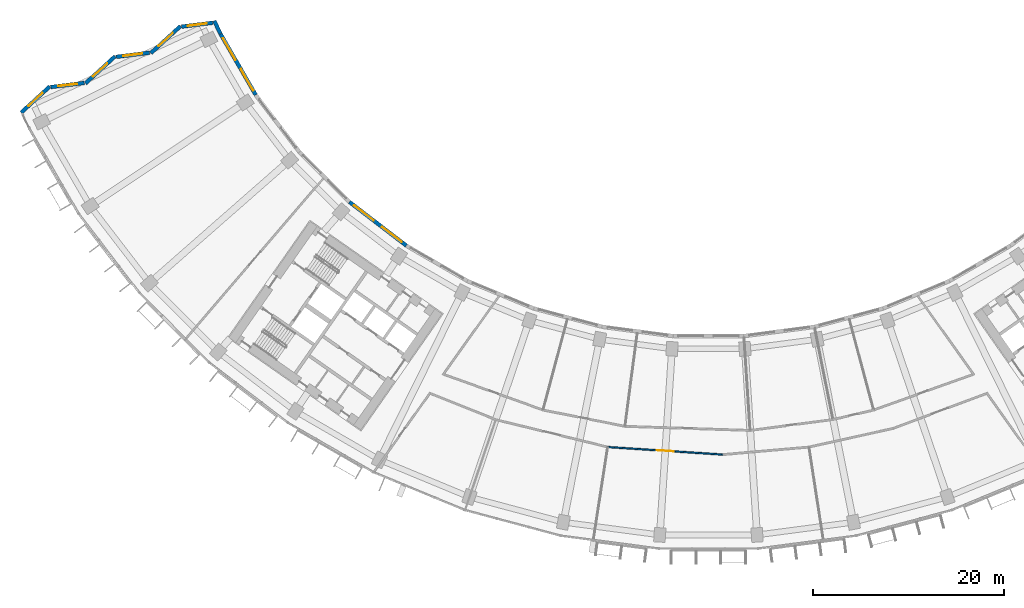
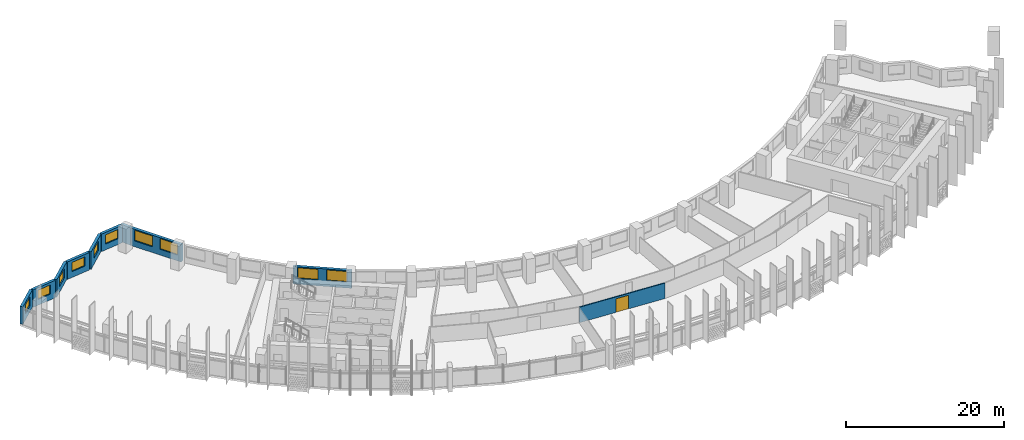
# One storey, part 5 of 30: 10 walls, 10 windows, 1 door, 11 openings.
"""IFC4 building model written with IfcOpenShell, lengths in metres."""

import ifcopenshell
import ifcopenshell.guid

model = None  # the IFC model being written
_history = None  # IfcOwnerHistory: only IFC2X3 demands one
_inside = {}  # id of a spatial element -> (the spatial element, [elements in it])
_under = {}  # id of a project, library or spatial element -> (it, [spatial elements below it])
_declared = {}  # id of a project -> (the project, [libraries it declares])
_typed = {}  # id of a type object -> (the type object, [elements of that type])
_made_of = {}  # id of a material, layer set ... -> (it, [elements and type objects made of it])


def new_model(schema):
    """Start an empty IFC model of exactly this schema.

    Asked for "IFC4X3", IfcOpenShell would pick the latest addendum, in which some entities
    have other attributes; the version numbers below select the first issue.
    IFC2X3 requires an IfcOwnerHistory on every rooted entity: one is made here for all.
    """
    global model, _history
    if schema == "IFC4X3":
        model = ifcopenshell.file(schema_version=(4, 3, 0, 0))
    else:
        model = ifcopenshell.file(schema=schema)
    _inside.clear()
    _under.clear()
    _declared.clear()
    _typed.clear()
    _made_of.clear()
    _history = None
    if model.schema == "IFC2X3":
        org = make("IfcOrganization", Name="unknown")
        user = make(
            "IfcPersonAndOrganization",
            ThePerson=make("IfcPerson", FamilyName="unknown"),
            TheOrganization=org,
        )
        app = make(
            "IfcApplication",
            ApplicationDeveloper=org,
            Version="unknown",
            ApplicationFullName="unknown",
            ApplicationIdentifier="unknown",
        )
        _history = make(
            "IfcOwnerHistory",
            OwningUser=user,
            OwningApplication=app,
            ChangeAction="ADDED",
            CreationDate=0,
        )
    return model


def make(cls, **values):
    """One entity of the class cls with the attributes given. An attribute that is None is left unset."""
    return model.create_entity(
        cls, **{name: value for name, value in values.items() if value is not None}
    )


def rooted(cls, **values):
    """An entity with a GlobalId (a new one), such as an element, a storey or a relation."""
    return make(cls, GlobalId=ifcopenshell.guid.new(), OwnerHistory=_history, **values)


def si_unit(unit_type, name, prefix=None):
    """IfcSIUnit, for example si_unit("LENGTHUNIT", "METRE", prefix="MILLI")."""
    return make("IfcSIUnit", UnitType=unit_type, Prefix=prefix, Name=name)


def assignment(units):
    """IfcUnitAssignment: the units of a project."""
    return None if units is None else make("IfcUnitAssignment", Units=units)


def point(xyz):
    """IfcCartesianPoint."""
    return None if xyz is None else make("IfcCartesianPoint", Coordinates=xyz)


def direction(xyz):
    """IfcDirection."""
    return None if xyz is None else make("IfcDirection", DirectionRatios=xyz)


def frame(location, z_axis=None, x_axis=None):
    """IfcAxis2Placement3D, a coordinate frame: its origin and axes. An axis left out is left unset."""
    return make(
        "IfcAxis2Placement3D",
        Location=point(location),
        Axis=direction(z_axis),
        RefDirection=direction(x_axis),
    )


def frame_2d(location, x_axis=None):
    """IfcAxis2Placement2D, a coordinate frame in the plane: its origin and x axis."""
    return make(
        "IfcAxis2Placement2D", Location=point(location), RefDirection=direction(x_axis)
    )


def origin():
    """The frame at (0, 0, 0) with its axes left unset."""
    return frame((0.0, 0.0, 0.0))


def place(relative_to, where):
    """IfcLocalPlacement: puts the frame where relative to a parent placement (None: the world)."""
    return make(
        "IfcLocalPlacement", PlacementRelTo=relative_to, RelativePlacement=where
    )


def context(
    kind, dimensions, precision=None, world=None, true_north=None, identifier=None
):
    """IfcGeometricRepresentationContext, for example the 3D "Model" context."""
    return make(
        "IfcGeometricRepresentationContext",
        ContextIdentifier=identifier,
        ContextType=kind,
        CoordinateSpaceDimension=dimensions,
        Precision=precision,
        WorldCoordinateSystem=world,
        TrueNorth=true_north,
    )


def subcontext(parent, identifier, kind, view, scale=None):
    """IfcGeometricRepresentationSubContext, for example "Body" below "Model"."""
    return make(
        "IfcGeometricRepresentationSubContext",
        ContextIdentifier=identifier,
        ContextType=kind,
        ParentContext=parent,
        TargetScale=scale,
        TargetView=view,
    )


def project(units=None, contexts=None):
    """IfcProject with its units and contexts."""
    return rooted(
        "IfcProject",
        Name="project",
        RepresentationContexts=contexts,
        UnitsInContext=assignment(units),
    )


def spatial(cls, under=None, at=None, **own):
    """A site, building, storey or space (cls), placed at a placement, below another one or the project."""
    s = rooted(cls, ObjectPlacement=at, **own)
    if under is not None:
        _under.setdefault(under.id(), (under, []))[1].append(s)
    return s


def profile(cls, at=None, kind="AREA", **sizes):
    """A parametric profile (cls). Its sizes go by their IFC names, for example OverallWidth=200.0."""
    return make(cls, ProfileType=kind, Position=at, **sizes)


def rectangle(**sizes):
    """IfcRectangleProfileDef."""
    return profile("IfcRectangleProfileDef", **sizes)


def extrude(swept, where, along, depth):
    """IfcExtrudedAreaSolid: the profile swept, set in the frame where, extruded along a direction by depth."""
    return make(
        "IfcExtrudedAreaSolid",
        SweptArea=swept,
        Position=where,
        ExtrudedDirection=direction(along),
        Depth=depth,
    )


def shape(context_of_items, identifier, shape_type, items):
    """IfcShapeRepresentation: the items that make up one representation, for example the "Body"."""
    return make(
        "IfcShapeRepresentation",
        ContextOfItems=context_of_items,
        RepresentationIdentifier=identifier,
        RepresentationType=shape_type,
        Items=items,
    )


def material(Name=None, Category=None):
    """IfcMaterial."""
    return make("IfcMaterial", Name=Name, Category=Category)


def layer(
    of_material, thickness, ventilated=None, Name=None, Category=None, Priority=None
):
    """IfcMaterialLayer: one layer of a wall or slab, of a material (None: an air gap)."""
    return make(
        "IfcMaterialLayer",
        Material=of_material,
        LayerThickness=thickness,
        IsVentilated=ventilated,
        Name=Name,
        Category=Category,
        Priority=Priority,
    )


def layer_set(layers, Name=None):
    """IfcMaterialLayerSet."""
    return make("IfcMaterialLayerSet", MaterialLayers=layers, LayerSetName=Name)


def made_of(thing, what):
    """Note that an element or type object is made of a material, layer set ...; save() writes the relation."""
    if what is not None:
        _made_of.setdefault(what.id(), (what, []))[1].append(thing)
    return thing


def type_object(cls, material=None, **own):
    """A type object (cls), such as IfcWallType, which elements share."""
    return made_of(rooted(cls, **own), material)


def element(
    cls,
    number,
    at=None,
    inside=None,
    cuts=None,
    type_object=None,
    material=None,
    context=None,
    identifier="Body",
    shape_type=None,
    held_by="IfcProductDefinitionShape",
    body=None,
    shapes=None,
    **own,
):
    """One element of the class cls, such as IfcWall. Its Tag is "e" and its number.

    at: its placement. inside: the storey or other place that contains it. cuts: it is an
    opening in that element (IfcRelVoidsElement). A single representation is given by context,
    identifier, shape_type and body (its items); several are given by shapes. held_by: the class
    of the entity that holds the representations. save() writes the other relations.
    """
    e = rooted(cls, Tag="e%d" % number, ObjectPlacement=at, **own)
    if body is not None:
        shapes = [shape(context, identifier, shape_type, body)]
    if shapes is not None:
        e.Representation = make(held_by, Representations=shapes)
    if inside is not None:
        _inside.setdefault(inside.id(), (inside, []))[1].append(e)
    if cuts is not None:
        rooted(
            "IfcRelVoidsElement", RelatingBuildingElement=cuts, RelatedOpeningElement=e
        )
    if type_object is not None:
        _typed.setdefault(type_object.id(), (type_object, []))[1].append(e)
    return made_of(e, material)


def fill(opening, filler):
    """IfcRelFillsElement: the door or window that sits in an opening."""
    return rooted(
        "IfcRelFillsElement",
        RelatingOpeningElement=opening,
        RelatedBuildingElement=filler,
    )


def aggregate(whole, parts):
    """IfcRelAggregates: a whole, such as a stair, and the parts it consists of."""
    return rooted("IfcRelAggregates", RelatingObject=whole, RelatedObjects=parts)


def save(model, path):
    """Write the relations noted so far, then the file.

    IfcRelAggregates (storeys below a building ...), IfcRelContainedInSpatialStructure (elements
    in a storey), IfcRelDefinesByType, IfcRelAssociatesMaterial and IfcRelDeclares: one each for
    every whole, place, type object, material and project.
    """
    for whole, parts in _under.values():
        aggregate(whole, parts)
    for where, things in _inside.values():
        rooted(
            "IfcRelContainedInSpatialStructure",
            RelatedElements=things,
            RelatingStructure=where,
        )
    for kind, things in _typed.values():
        rooted("IfcRelDefinesByType", RelatedObjects=things, RelatingType=kind)
    for what, things in _made_of.values():
        rooted("IfcRelAssociatesMaterial", RelatedObjects=things, RelatingMaterial=what)
    for by, libraries in _declared.values():
        rooted("IfcRelDeclares", RelatingContext=by, RelatedDefinitions=libraries)
    model.write(path)


model = new_model("IFC4")

# Units and contexts
model_context = context("Model", 3, precision=1e-05, world=origin(), true_north=direction((0.0, 1.0)))
body_context = subcontext(model_context, "Body", "Model", "MODEL_VIEW")
ifc_project = project(units=[si_unit("LENGTHUNIT", "METRE"), si_unit("AREAUNIT", "SQUARE_METRE"), si_unit("VOLUMEUNIT", "CUBIC_METRE"), si_unit("PLANEANGLEUNIT", "RADIAN"), si_unit("MASSUNIT", "GRAM", prefix="KILO")], contexts=[model_context])

# Site, building, storey
site_placement = place(None, origin())
site = spatial("IfcSite", under=ifc_project, at=site_placement, CompositionType="ELEMENT")
building_placement = place(site_placement, origin())
building = spatial("IfcBuilding", under=site, at=building_placement, Name="Qamariyya Broadcast Tower", CompositionType="ELEMENT")
storey_placement = place(building_placement, frame((0.0, 0.0, 102.5)))
storey = spatial("IfcBuildingStorey", under=building, at=storey_placement, Name="L22", CompositionType="ELEMENT", Elevation=102.5)

# Wall, opening, door
ifc_material_1 = material(Name="Gypsum board partition")
ifc_layer_1 = layer(ifc_material_1, 0.14990234375)
ifc_layer_set_1 = layer_set([ifc_layer_1], Name="Corridor partition 150 EI 60")
wall_type_1 = type_object("IfcWallType", Name="Corridor partition 150 EI 60", PredefinedType="PARTITIONING", material=ifc_layer_set_1)
wall_1_placement = place(storey_placement, frame((1.502685546875, -69.182861328125, 0.0), z_axis=(0.0, 0.0, 1.0), x_axis=(-0.997858985864, 0.065402173745, 0.0)))
wall_1 = element("IfcWall", 1, at=wall_1_placement, inside=storey, type_object=wall_type_1, Name="Partition L22-011", PredefinedType="PARTITIONING", context=body_context, shape_type="SweptSolid", body=[
    extrude(rectangle(XDim=12.057373046875, YDim=0.14990234375, at=frame_2d((6.02880859375, 0.0))), origin(), (0.0, 0.0, 1.0), 2.39990234375),
])
opening_1_placement = place(wall_1_placement, frame((5.128662109375, 0.0, 0.0)))
opening_1 = element("IfcOpeningElement", 2, at=opening_1_placement, cuts=wall_1, Name="Opening L22-D03", PredefinedType="OPENING", context=body_context, shape_type="SweptSolid", body=[
    extrude(rectangle(XDim=1.800048828125, YDim=2.10009765625, at=frame_2d((0.89990234375, 1.050048828125))), frame((0.0, 0.0849609375, 0.0), z_axis=(0.0, -1.0, 0.0), x_axis=(1.0, 0.0, 0.0)), (0.0, 0.0, 1.0), 0.169921875),
])
ifc_material_2 = material(Name="Timber fire door leaf", Category="wood")
door_type = type_object("IfcDoorType", Name="Double fire door 1800 x 2100 FD60", OperationType="NOTDEFINED", PredefinedType="DOOR", material=ifc_material_2)
door_placement = place(opening_1_placement, origin())
door = element("IfcDoor", 3, at=door_placement, inside=storey, type_object=door_type, Name="Door L22-D03", OperationType="DOUBLE_DOOR_SINGLE_SWING", OverallHeight=2.10009765625, OverallWidth=1.800048828125, PredefinedType="DOOR", context=body_context, shape_type="SweptSolid", body=[
    extrude(rectangle(XDim=1.800048828125, YDim=2.10009765625, at=frame_2d((0.89990234375, 1.050048828125))), frame((0.0, 0.02490234375, 0.0), z_axis=(0.0, -1.0, 0.0), x_axis=(1.0, 0.0, 0.0)), (0.0, 0.0, 1.0), 0.050048828125),
])
fill(opening_1, door)

# Wall, opening, window
ifc_material_3 = material(Name="Terracotta", Category="masonry")
ifc_layer_2 = layer(ifc_material_3, 0.39990234375)
ifc_layer_set_2 = layer_set([ifc_layer_2], Name="Terracotta clad wall 400")
wall_type_2 = type_object("IfcWallType", Name="Terracotta clad wall 400", PredefinedType="SOLIDWALL", material=ifc_layer_set_2)
wall_2_placement = place(storey_placement, frame((-51.838134765625, -24.02734375, 0.0), z_axis=(0.0, 0.0, 1.0), x_axis=(-0.992379606166, -0.123218169383, 0.0)))
wall_2 = element("IfcWall", 4, at=wall_2_placement, inside=storey, type_object=wall_type_2, Name="e-wl-L22-capW0", PredefinedType="SOLIDWALL", context=body_context, shape_type="SweptSolid", body=[
    extrude(rectangle(XDim=3.275146484375, YDim=0.39990234375, at=frame_2d((1.6376953125, 0.0))), origin(), (0.0, 0.0, 1.0), 2.699951171875),
])
opening_2_placement = place(wall_2_placement, frame((0.6376953125, 0.0, 0.89990234375)))
opening_2 = element("IfcOpeningElement", 5, at=opening_2_placement, cuts=wall_2, Name="Opening W4", PredefinedType="OPENING", context=body_context, shape_type="SweptSolid", body=[
    extrude(rectangle(XDim=2.0, YDim=1.425048828125, at=frame_2d((1.0, 0.71240234375))), frame((0.0, 0.2099609375, 0.0), z_axis=(0.0, -1.0, 0.0), x_axis=(1.0, 0.0, 0.0)), (0.0, 0.0, 1.0), 0.419921875),
])
ifc_material_4 = material(Name="Clear low-e double glazed unit in aluminium frame", Category="aluminium")
window_type_1 = type_object("IfcWindowType", Name="Horn bay window 2000 x 1425", PartitioningType="SINGLE_PANEL", PredefinedType="WINDOW", material=ifc_material_4)
window_1_placement = place(opening_2_placement, origin())
window_1 = element("IfcWindow", 6, at=window_1_placement, inside=storey, type_object=window_type_1, Name="e-w-L22-capW0", OverallHeight=1.425048828125, OverallWidth=2.0, PartitioningType="SINGLE_PANEL", PredefinedType="WINDOW", context=body_context, shape_type="SweptSolid", body=[
    extrude(rectangle(XDim=2.0, YDim=1.425048828125, at=frame_2d((1.0, 0.71240234375))), frame((0.0, 0.030029296875, 0.0), z_axis=(0.0, -1.0, 0.0), x_axis=(1.0, 0.0, 0.0)), (0.0, 0.0, 1.0), 0.06005859375),
])
fill(opening_2, window_1)

wall_3_placement = place(storey_placement, frame((-55.211181640625, -24.37890625, 0.0), z_axis=(0.0, 0.0, 1.0), x_axis=(-0.738254856356, -0.674521880346, 0.0)))
wall_3 = element("IfcWall", 7, at=wall_3_placement, inside=storey, type_object=wall_type_2, Name="e-wl-L22-capW1", PredefinedType="SOLIDWALL", context=body_context, shape_type="SweptSolid", body=[
    extrude(rectangle(XDim=4.194580078125, YDim=0.39990234375, at=frame_2d((2.09716796875, 0.0))), origin(), (0.0, 0.0, 1.0), 2.699951171875),
])
opening_3_placement = place(wall_3_placement, frame((1.09716796875, 0.0, 0.89990234375)))
opening_3 = element("IfcOpeningElement", 8, at=opening_3_placement, cuts=wall_3, Name="Opening W4", PredefinedType="OPENING", context=body_context, shape_type="SweptSolid", body=[
    extrude(rectangle(XDim=2.0, YDim=1.425048828125, at=frame_2d((1.0, 0.71240234375))), frame((0.0, 0.2099609375, 0.0), z_axis=(0.0, -1.0, 0.0), x_axis=(1.0, 0.0, 0.0)), (0.0, 0.0, 1.0), 0.419921875),
])
window_2_placement = place(opening_3_placement, origin())
window_2 = element("IfcWindow", 9, at=window_2_placement, inside=storey, type_object=window_type_1, Name="e-w-L22-capW1", OverallHeight=1.425048828125, OverallWidth=2.0, PartitioningType="SINGLE_PANEL", PredefinedType="WINDOW", context=body_context, shape_type="SweptSolid", body=[
    extrude(rectangle(XDim=2.0, YDim=1.425048828125, at=frame_2d((1.0, 0.71240234375))), frame((0.0, 0.030029296875, 0.0), z_axis=(0.0, -1.0, 0.0), x_axis=(1.0, 0.0, 0.0)), (0.0, 0.0, 1.0), 0.06005859375),
])
fill(opening_3, window_2)

wall_4_placement = place(storey_placement, frame((-58.4306640625, -27.156494140625, 0.0), z_axis=(0.0, 0.0, 1.0), x_axis=(-0.992378781619, -0.123224809974, 0.0)))
wall_4 = element("IfcWall", 10, at=wall_4_placement, inside=storey, type_object=wall_type_2, Name="e-wl-L22-capW2", PredefinedType="SOLIDWALL", context=body_context, shape_type="SweptSolid", body=[
    extrude(rectangle(XDim=3.524658203125, YDim=0.39990234375, at=frame_2d((1.76220703125, 0.0))), origin(), (0.0, 0.0, 1.0), 2.699951171875),
])
opening_4_placement = place(wall_4_placement, frame((0.762451171875, 0.0, 0.89990234375)))
opening_4 = element("IfcOpeningElement", 11, at=opening_4_placement, cuts=wall_4, Name="Opening W4", PredefinedType="OPENING", context=body_context, shape_type="SweptSolid", body=[
    extrude(rectangle(XDim=2.0, YDim=1.425048828125, at=frame_2d((1.0, 0.71240234375))), frame((0.0, 0.2099609375, 0.0), z_axis=(0.0, -1.0, 0.0), x_axis=(1.0, 0.0, 0.0)), (0.0, 0.0, 1.0), 0.419921875),
])
window_3_placement = place(opening_4_placement, origin())
window_3 = element("IfcWindow", 12, at=window_3_placement, inside=storey, type_object=window_type_1, Name="e-w-L22-capW2", OverallHeight=1.425048828125, OverallWidth=2.0, PartitioningType="SINGLE_PANEL", PredefinedType="WINDOW", context=body_context, shape_type="SweptSolid", body=[
    extrude(rectangle(XDim=2.0, YDim=1.425048828125, at=frame_2d((1.0, 0.71240234375))), frame((0.0, 0.030029296875, 0.0), z_axis=(0.0, -1.0, 0.0), x_axis=(1.0, 0.0, 0.0)), (0.0, 0.0, 1.0), 0.06005859375),
])
fill(opening_4, window_3)

wall_5_placement = place(storey_placement, frame((-62.051025390625, -27.5390625, 0.0), z_axis=(0.0, 0.0, 1.0), x_axis=(-0.73823587549, -0.674542654055, 0.0)))
wall_5 = element("IfcWall", 13, at=wall_5_placement, inside=storey, type_object=wall_type_2, Name="e-wl-L22-capW3", PredefinedType="SOLIDWALL", context=body_context, shape_type="SweptSolid", body=[
    extrude(rectangle(XDim=4.193359375, YDim=0.39990234375, at=frame_2d((2.0966796875, 0.0))), origin(), (0.0, 0.0, 1.0), 2.699951171875),
])
opening_5_placement = place(wall_5_placement, frame((1.0966796875, 0.0, 0.89990234375)))
opening_5 = element("IfcOpeningElement", 14, at=opening_5_placement, cuts=wall_5, Name="Opening W4", PredefinedType="OPENING", context=body_context, shape_type="SweptSolid", body=[
    extrude(rectangle(XDim=2.0, YDim=1.425048828125, at=frame_2d((1.0, 0.71240234375))), frame((0.0, 0.2099609375, 0.0), z_axis=(0.0, -1.0, 0.0), x_axis=(1.0, 0.0, 0.0)), (0.0, 0.0, 1.0), 0.419921875),
])
window_4_placement = place(opening_5_placement, origin())
window_4 = element("IfcWindow", 15, at=window_4_placement, inside=storey, type_object=window_type_1, Name="e-w-L22-capW3", OverallHeight=1.425048828125, OverallWidth=2.0, PartitioningType="SINGLE_PANEL", PredefinedType="WINDOW", context=body_context, shape_type="SweptSolid", body=[
    extrude(rectangle(XDim=2.0, YDim=1.425048828125, at=frame_2d((1.0, 0.71240234375))), frame((0.0, 0.030029296875, 0.0), z_axis=(0.0, -1.0, 0.0), x_axis=(1.0, 0.0, 0.0)), (0.0, 0.0, 1.0), 0.06005859375),
])
fill(opening_5, window_4)

wall_6_placement = place(storey_placement, frame((-65.269287109375, -30.31591796875, 0.0), z_axis=(0.0, 0.0, 1.0), x_axis=(-0.992366046536, -0.123327327394, 0.0)))
wall_6 = element("IfcWall", 16, at=wall_6_placement, inside=storey, type_object=wall_type_2, Name="e-wl-L22-capW4", PredefinedType="SOLIDWALL", context=body_context, shape_type="SweptSolid", body=[
    extrude(rectangle(XDim=3.525634765625, YDim=0.39990234375, at=frame_2d((1.7626953125, 0.0))), origin(), (0.0, 0.0, 1.0), 2.699951171875),
])
opening_6_placement = place(wall_6_placement, frame((0.762939453125, 0.0, 0.89990234375)))
opening_6 = element("IfcOpeningElement", 17, at=opening_6_placement, cuts=wall_6, Name="Opening W4", PredefinedType="OPENING", context=body_context, shape_type="SweptSolid", body=[
    extrude(rectangle(XDim=2.0, YDim=1.425048828125, at=frame_2d((1.0, 0.71240234375))), frame((0.0, 0.2099609375, 0.0), z_axis=(0.0, -1.0, 0.0), x_axis=(1.0, 0.0, 0.0)), (0.0, 0.0, 1.0), 0.419921875),
])
window_5_placement = place(opening_6_placement, origin())
window_5 = element("IfcWindow", 18, at=window_5_placement, inside=storey, type_object=window_type_1, Name="e-w-L22-capW4", OverallHeight=1.425048828125, OverallWidth=2.0, PartitioningType="SINGLE_PANEL", PredefinedType="WINDOW", context=body_context, shape_type="SweptSolid", body=[
    extrude(rectangle(XDim=2.0, YDim=1.425048828125, at=frame_2d((1.0, 0.71240234375))), frame((0.0, 0.030029296875, 0.0), z_axis=(0.0, -1.0, 0.0), x_axis=(1.0, 0.0, 0.0)), (0.0, 0.0, 1.0), 0.06005859375),
])
fill(opening_6, window_5)

wall_7_placement = place(storey_placement, frame((-68.890869140625, -30.698974609375, 0.0), z_axis=(0.0, 0.0, 1.0), x_axis=(-0.738145642289, -0.674641394201, 0.0)))
wall_7 = element("IfcWall", 19, at=wall_7_placement, inside=storey, type_object=wall_type_2, Name="e-wl-L22-capW5", PredefinedType="SOLIDWALL", context=body_context, shape_type="SweptSolid", body=[
    extrude(rectangle(XDim=4.013671875, YDim=0.39990234375, at=frame_2d((2.0068359375, 0.0))), origin(), (0.0, 0.0, 1.0), 2.699951171875),
])
opening_7_placement = place(wall_7_placement, frame((1.0068359375, 0.0, 0.89990234375)))
opening_7 = element("IfcOpeningElement", 20, at=opening_7_placement, cuts=wall_7, Name="Opening W4", PredefinedType="OPENING", context=body_context, shape_type="SweptSolid", body=[
    extrude(rectangle(XDim=2.0, YDim=1.425048828125, at=frame_2d((1.0, 0.71240234375))), frame((0.0, 0.2099609375, 0.0), z_axis=(0.0, -1.0, 0.0), x_axis=(1.0, 0.0, 0.0)), (0.0, 0.0, 1.0), 0.419921875),
])
window_6_placement = place(opening_7_placement, origin())
window_6 = element("IfcWindow", 21, at=window_6_placement, inside=storey, type_object=window_type_1, Name="e-w-L22-capW5", OverallHeight=1.425048828125, OverallWidth=2.0, PartitioningType="SINGLE_PANEL", PredefinedType="WINDOW", context=body_context, shape_type="SweptSolid", body=[
    extrude(rectangle(XDim=2.0, YDim=1.425048828125, at=frame_2d((1.0, 0.71240234375))), frame((0.0, 0.030029296875, 0.0), z_axis=(0.0, -1.0, 0.0), x_axis=(1.0, 0.0, 0.0)), (0.0, 0.0, 1.0), 0.06005859375),
])
fill(opening_7, window_6)

# Wall
wall_8_placement = place(storey_placement, frame((-51.0234375, -25.1845703125, 0.0), z_axis=(0.0, 0.0, 1.0), x_axis=(-0.430801588916, 0.902446669332, 0.0)))
element("IfcWall", 22, at=wall_8_placement, inside=storey, type_object=wall_type_2, Name="e-wl-L22-in00", PredefinedType="SOLIDWALL", context=body_context, shape_type="SweptSolid", body=[
    extrude(rectangle(XDim=1.50634765625, YDim=0.39990234375, at=frame_2d((0.753173828125, 0.0))), origin(), (0.0, 0.0, 1.0), 2.699951171875),
])

# Wall, openings, windows
wall_9_placement = place(storey_placement, frame((-47.33642578125, -31.568359375, 0.0), z_axis=(0.0, 0.0, 1.0), x_axis=(-0.499986743006, 0.866033057578, 0.0)))
wall_9 = element("IfcWall", 23, at=wall_9_placement, inside=storey, type_object=wall_type_2, Name="e-wl-L22-in10", PredefinedType="SOLIDWALL", context=body_context, shape_type="SweptSolid", body=[
    extrude(rectangle(XDim=7.356689453125, YDim=0.39990234375, at=frame_2d((3.67822265625, 0.0))), origin(), (0.0, 0.0, 1.0), 2.699951171875),
])
opening_8_placement = place(wall_9_placement, frame((4.224853515625, 0.0, 0.89990234375)))
opening_8 = element("IfcOpeningElement", 24, at=opening_8_placement, cuts=wall_9, Name="Opening W1", PredefinedType="OPENING", context=body_context, shape_type="SweptSolid", body=[
    extrude(rectangle(XDim=2.60009765625, YDim=1.64990234375, at=frame_2d((1.300048828125, 0.824951171875))), frame((0.0, 0.2099609375, 0.0), z_axis=(0.0, -1.0, 0.0), x_axis=(1.0, 0.0, 0.0)), (0.0, 0.0, 1.0), 0.419921875),
])
opening_9_placement = place(wall_9_placement, frame((0.5166015625, 0.0, 0.89990234375)))
opening_9 = element("IfcOpeningElement", 25, at=opening_9_placement, cuts=wall_9, Name="Opening W1", PredefinedType="OPENING", context=body_context, shape_type="SweptSolid", body=[
    extrude(rectangle(XDim=2.60009765625, YDim=1.64990234375, at=frame_2d((1.300048828125, 0.824951171875))), frame((0.0, 0.2099609375, 0.0), z_axis=(0.0, -1.0, 0.0), x_axis=(1.0, 0.0, 0.0)), (0.0, 0.0, 1.0), 0.419921875),
])
window_type_2 = type_object("IfcWindowType", Name="Ribbon window 2600 x 1650", PartitioningType="SINGLE_PANEL", PredefinedType="WINDOW", material=ifc_material_4)
window_7_placement = place(opening_8_placement, origin())
window_7 = element("IfcWindow", 26, at=window_7_placement, inside=storey, type_object=window_type_2, Name="e-w-L22-in01-0", OverallHeight=1.64990234375, OverallWidth=2.60009765625, PartitioningType="SINGLE_PANEL", PredefinedType="WINDOW", context=body_context, shape_type="SweptSolid", body=[
    extrude(rectangle(XDim=2.60009765625, YDim=1.64990234375, at=frame_2d((1.300048828125, 0.824951171875))), frame((0.0, 0.030029296875, 0.0), z_axis=(0.0, -1.0, 0.0), x_axis=(1.0, 0.0, 0.0)), (0.0, 0.0, 1.0), 0.06005859375),
])
fill(opening_8, window_7)
window_8_placement = place(opening_9_placement, origin())
window_8 = element("IfcWindow", 27, at=window_8_placement, inside=storey, type_object=window_type_2, Name="e-w-L22-in01-1", OverallHeight=1.64990234375, OverallWidth=2.60009765625, PartitioningType="SINGLE_PANEL", PredefinedType="WINDOW", context=body_context, shape_type="SweptSolid", body=[
    extrude(rectangle(XDim=2.60009765625, YDim=1.64990234375, at=frame_2d((1.300048828125, 0.824951171875))), frame((0.0, 0.030029296875, 0.0), z_axis=(0.0, -1.0, 0.0), x_axis=(1.0, 0.0, 0.0)), (0.0, 0.0, 1.0), 0.06005859375),
])
fill(opening_9, window_8)

wall_10_placement = place(storey_placement, frame((-31.59228515625, -47.326171875, 0.0), z_axis=(0.0, 0.0, 1.0), x_axis=(-0.793363487476, 0.608748204711, 0.0)))
wall_10 = element("IfcWall", 28, at=wall_10_placement, inside=storey, type_object=wall_type_2, Name="e-wl-L22-in40", PredefinedType="SOLIDWALL", context=body_context, shape_type="SweptSolid", body=[
    extrude(rectangle(XDim=7.492919921875, YDim=0.39990234375, at=frame_2d((3.74658203125, 0.0))), origin(), (0.0, 0.0, 1.0), 2.699951171875),
])
opening_10_placement = place(wall_10_placement, frame((4.300537109375, 0.0, 0.89990234375)))
opening_10 = element("IfcOpeningElement", 29, at=opening_10_placement, cuts=wall_10, Name="Opening W1", PredefinedType="OPENING", context=body_context, shape_type="SweptSolid", body=[
    extrude(rectangle(XDim=2.60009765625, YDim=1.64990234375, at=frame_2d((1.300048828125, 0.824951171875))), frame((0.0, 0.2099609375, 0.0), z_axis=(0.0, -1.0, 0.0), x_axis=(1.0, 0.0, 0.0)), (0.0, 0.0, 1.0), 0.419921875),
])
opening_11_placement = place(wall_10_placement, frame((0.59228515625, 0.0, 0.89990234375)))
opening_11 = element("IfcOpeningElement", 30, at=opening_11_placement, cuts=wall_10, Name="Opening W1", PredefinedType="OPENING", context=body_context, shape_type="SweptSolid", body=[
    extrude(rectangle(XDim=2.60009765625, YDim=1.64990234375, at=frame_2d((1.300048828125, 0.824951171875))), frame((0.0, 0.2099609375, 0.0), z_axis=(0.0, -1.0, 0.0), x_axis=(1.0, 0.0, 0.0)), (0.0, 0.0, 1.0), 0.419921875),
])
window_9_placement = place(opening_10_placement, origin())
window_9 = element("IfcWindow", 31, at=window_9_placement, inside=storey, type_object=window_type_2, Name="e-w-L22-in04-0", OverallHeight=1.64990234375, OverallWidth=2.60009765625, PartitioningType="SINGLE_PANEL", PredefinedType="WINDOW", context=body_context, shape_type="SweptSolid", body=[
    extrude(rectangle(XDim=2.60009765625, YDim=1.64990234375, at=frame_2d((1.300048828125, 0.824951171875))), frame((0.0, 0.030029296875, 0.0), z_axis=(0.0, -1.0, 0.0), x_axis=(1.0, 0.0, 0.0)), (0.0, 0.0, 1.0), 0.06005859375),
])
fill(opening_10, window_9)
window_10_placement = place(opening_11_placement, origin())
window_10 = element("IfcWindow", 32, at=window_10_placement, inside=storey, type_object=window_type_2, Name="e-w-L22-in04-1", OverallHeight=1.64990234375, OverallWidth=2.60009765625, PartitioningType="SINGLE_PANEL", PredefinedType="WINDOW", context=body_context, shape_type="SweptSolid", body=[
    extrude(rectangle(XDim=2.60009765625, YDim=1.64990234375, at=frame_2d((1.300048828125, 0.824951171875))), frame((0.0, 0.030029296875, 0.0), z_axis=(0.0, -1.0, 0.0), x_axis=(1.0, 0.0, 0.0)), (0.0, 0.0, 1.0), 0.06005859375),
])
fill(opening_11, window_10)

save(model, "model.ifc")
